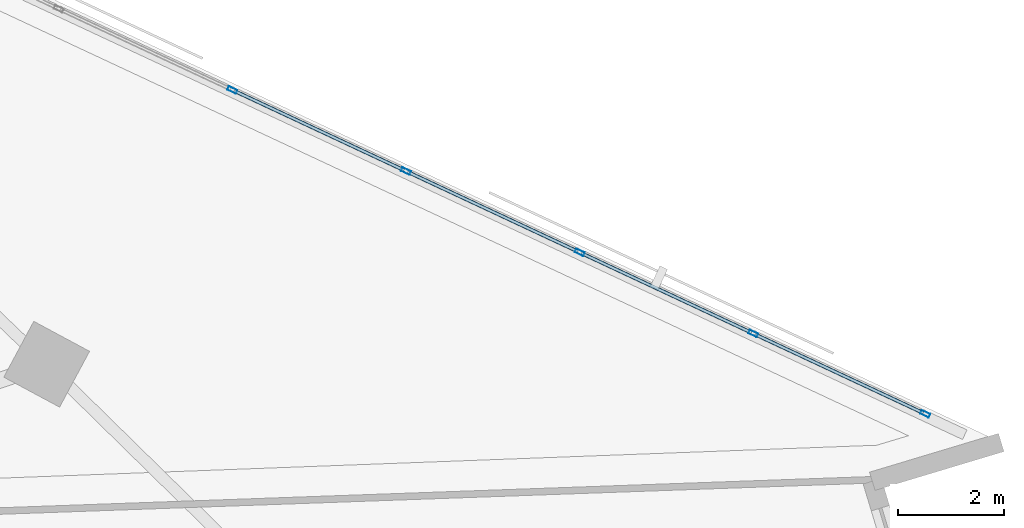
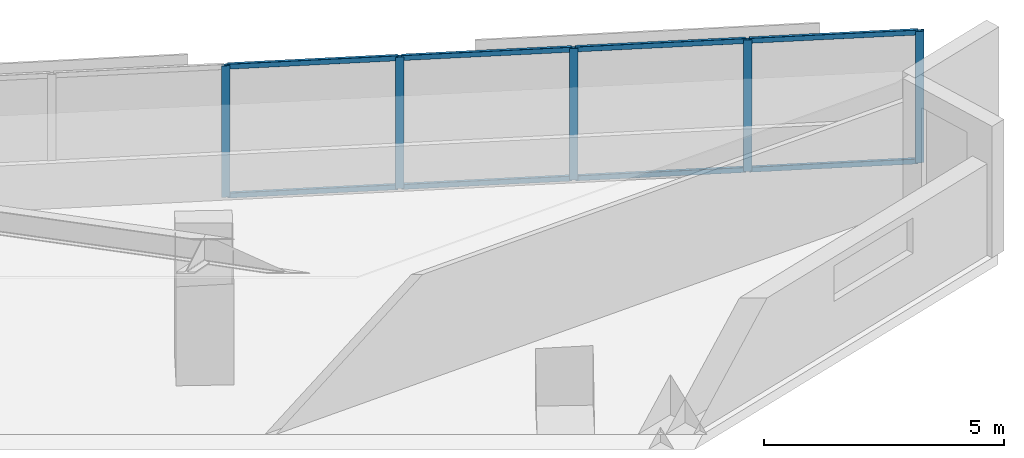
# One storey, part 5 of 15: 13 members, 1 element without a shape of its own.
"""IFC4 building model written with IfcOpenShell, lengths in metres."""

from ifc_helpers import new_model, si_unit, direction, frame, origin, origin_2d, place, context, subcontext, project, spatial, hollow_rectangle, extrude, material, material_profile, profile_set, type_object, element, aggregate, save


model = new_model("IFC4")

# Units and contexts
model_context = context("Model", 3, precision=1e-05, world=origin(), true_north=direction((0.0, 1.0)))
body_context = subcontext(model_context, "Body", "Model", "MODEL_VIEW")
ifc_project = project(units=[si_unit("LENGTHUNIT", "METRE"), si_unit("AREAUNIT", "SQUARE_METRE"), si_unit("VOLUMEUNIT", "CUBIC_METRE"), si_unit("PLANEANGLEUNIT", "RADIAN"), si_unit("MASSUNIT", "GRAM", prefix="KILO")], contexts=[model_context])

# Site, building, storey
site_placement = place(None, origin())
site = spatial("IfcSite", under=ifc_project, at=site_placement, CompositionType="ELEMENT")
building_placement = place(site_placement, origin())
building = spatial("IfcBuilding", under=site, at=building_placement, Name="Narakoshi Arena Tower", CompositionType="ELEMENT")
storey_placement = place(building_placement, frame((0.0, 0.0, 143.10009765625)))
storey = spatial("IfcBuildingStorey", under=building, at=storey_placement, Name="L38", CompositionType="ELEMENT", Elevation=143.10009765625)

# Curtain wall, members
ifc_material = material(Name="Anodised bronze aluminium 6063-T6", Category="aluminium")
curtain_wall_type = type_object("IfcCurtainWallType", Name="CW-HYP-MID", PredefinedType="NOTDEFINED", material=ifc_material)
curtain_wall_placement = place(storey_placement, origin())
curtain_wall = element("IfcCurtainWall", 1, at=curtain_wall_placement, inside=storey, type_object=curtain_wall_type, Name="L38 Folded Hypotenuse Curtain Wall 1-1", PredefinedType="NOTDEFINED")
ifc_material_profile_1 = material_profile(ifc_material, hollow_rectangle(XDim=0.074951171875, YDim=0.179931640625, WallThickness=0.00390625, OuterFilletRadius=0.0048828125, at=origin_2d()), Name="MUL180x75x4")
ifc_profile_set_1 = profile_set([ifc_material_profile_1], Name="Anodised bronze aluminium 6063-T6")
member_type_1 = type_object("IfcMemberType", Name="MEM-MUL-180", PredefinedType="MULLION", material=ifc_profile_set_1)
member_1_placement = place(storey_placement, frame((119.174072265625, 48.238525390625, 0.0), z_axis=(0.0, 0.0, 1.0), x_axis=(-0.423531721612, -0.905881273009, 0.0)))
member_1 = element("IfcMember", 2, at=member_1_placement, type_object=member_type_1, Name="CW-02 mullion 1", PredefinedType="MULLION", context=body_context, shape_type="SweptSolid", body=[
    extrude(hollow_rectangle(XDim=0.074951171875, YDim=0.179931640625, WallThickness=0.00390625, OuterFilletRadius=0.0048828125, at=origin_2d()), origin(), (0.0, 0.0, 1.0), 3.33984375),
])
member_2_placement = place(storey_placement, frame((115.91650390625, 49.761474609375, 0.0), z_axis=(0.0, 0.0, 1.0), x_axis=(-0.423531721612, -0.905881273009, 0.0)))
member_2 = element("IfcMember", 3, at=member_2_placement, type_object=member_type_1, Name="CW-02 mullion 2", PredefinedType="MULLION", context=body_context, shape_type="SweptSolid", body=[
    extrude(hollow_rectangle(XDim=0.074951171875, YDim=0.179931640625, WallThickness=0.00390625, OuterFilletRadius=0.0048828125, at=origin_2d()), origin(), (0.0, 0.0, 1.0), 3.33984375),
])
member_3_placement = place(storey_placement, frame((112.625, 51.300537109375, 0.0), z_axis=(0.0, 0.0, 1.0), x_axis=(-0.423531721612, -0.905881273009, 0.0)))
member_3 = element("IfcMember", 4, at=member_3_placement, type_object=member_type_1, Name="CW-02 mullion 3", PredefinedType="MULLION", context=body_context, shape_type="SweptSolid", body=[
    extrude(hollow_rectangle(XDim=0.074951171875, YDim=0.179931640625, WallThickness=0.00390625, OuterFilletRadius=0.0048828125, at=origin_2d()), origin(), (0.0, 0.0, 1.0), 3.33984375),
])
member_4_placement = place(storey_placement, frame((109.33349609375, 52.83935546875, 0.0), z_axis=(0.0, 0.0, 1.0), x_axis=(-0.423531721612, -0.905881273009, 0.0)))
member_4 = element("IfcMember", 5, at=member_4_placement, type_object=member_type_1, Name="CW-02 mullion 4", PredefinedType="MULLION", context=body_context, shape_type="SweptSolid", body=[
    extrude(hollow_rectangle(XDim=0.074951171875, YDim=0.179931640625, WallThickness=0.00390625, OuterFilletRadius=0.0048828125, at=origin_2d()), origin(), (0.0, 0.0, 1.0), 3.33984375),
])
member_5_placement = place(storey_placement, frame((106.0419921875, 54.378173828125, 0.0), z_axis=(0.0, 0.0, 1.0), x_axis=(-0.423531721612, -0.905881273009, 0.0)))
member_5 = element("IfcMember", 6, at=member_5_placement, type_object=member_type_1, Name="CW-02 mullion 5", PredefinedType="MULLION", context=body_context, shape_type="SweptSolid", body=[
    extrude(hollow_rectangle(XDim=0.074951171875, YDim=0.179931640625, WallThickness=0.00390625, OuterFilletRadius=0.0048828125, at=origin_2d()), origin(), (0.0, 0.0, 1.0), 3.33984375),
])
ifc_material_profile_2 = material_profile(ifc_material, hollow_rectangle(XDim=0.06494140625, YDim=0.1298828125, WallThickness=0.00390625, OuterFilletRadius=0.0048828125, at=origin_2d()), Name="TRN130x65x4")
ifc_profile_set_2 = profile_set([ifc_material_profile_2], Name="Anodised bronze aluminium 6063-T6")
member_type_2 = type_object("IfcMemberType", Name="MEM-TRN-130", PredefinedType="USERDEFINED", material=ifc_profile_set_2)
member_6_placement = place(storey_placement, frame((119.14013671875, 48.25439453125, 0.032470703125), z_axis=(-0.905890644442, 0.423511676713, 0.0), x_axis=(-0.423511676713, -0.905890644442, 0.0)))
member_6 = element("IfcMember", 7, at=member_6_placement, type_object=member_type_2, Name="CW-02 transom 1.1", ObjectType="TRANSOM", PredefinedType="USERDEFINED", context=body_context, shape_type="SweptSolid", body=[
    extrude(hollow_rectangle(XDim=0.06494140625, YDim=0.1298828125, WallThickness=0.00390625, OuterFilletRadius=0.0048828125, at=origin_2d()), origin(), (0.0, 0.0, 1.0), 3.52099609375),
])
member_7_placement = place(storey_placement, frame((119.14013671875, 48.25439453125, 3.307373046875), z_axis=(-0.905890644442, 0.423511676713, 0.0), x_axis=(-0.423511676713, -0.905890644442, 0.0)))
member_7 = element("IfcMember", 8, at=member_7_placement, type_object=member_type_2, Name="CW-02 transom 1.2", ObjectType="TRANSOM", PredefinedType="USERDEFINED", context=body_context, shape_type="SweptSolid", body=[
    extrude(hollow_rectangle(XDim=0.06494140625, YDim=0.1298828125, WallThickness=0.00390625, OuterFilletRadius=0.0048828125, at=origin_2d()), origin(), (0.0, 0.0, 1.0), 3.52099609375),
])
member_8_placement = place(storey_placement, frame((115.882568359375, 49.777587890625, 0.032470703125), z_axis=(-0.905890215319, 0.423512594605, 0.0), x_axis=(-0.423512594605, -0.905890215319, 0.0)))
member_8 = element("IfcMember", 9, at=member_8_placement, type_object=member_type_2, Name="CW-02 transom 2.1", ObjectType="TRANSOM", PredefinedType="USERDEFINED", context=body_context, shape_type="SweptSolid", body=[
    extrude(hollow_rectangle(XDim=0.06494140625, YDim=0.1298828125, WallThickness=0.00390625, OuterFilletRadius=0.0048828125, at=origin_2d()), origin(), (0.0, 0.0, 1.0), 3.55859375),
])
member_9_placement = place(storey_placement, frame((115.882568359375, 49.777587890625, 3.307373046875), z_axis=(-0.905890215319, 0.423512594605, 0.0), x_axis=(-0.423512594605, -0.905890215319, 0.0)))
member_9 = element("IfcMember", 10, at=member_9_placement, type_object=member_type_2, Name="CW-02 transom 2.2", ObjectType="TRANSOM", PredefinedType="USERDEFINED", context=body_context, shape_type="SweptSolid", body=[
    extrude(hollow_rectangle(XDim=0.06494140625, YDim=0.1298828125, WallThickness=0.00390625, OuterFilletRadius=0.0048828125, at=origin_2d()), origin(), (0.0, 0.0, 1.0), 3.55859375),
])
member_10_placement = place(storey_placement, frame((112.591064453125, 51.31640625, 0.032470703125), z_axis=(-0.905890215319, 0.423512594605, 0.0), x_axis=(-0.423512594605, -0.905890215319, 0.0)))
member_10 = element("IfcMember", 11, at=member_10_placement, type_object=member_type_2, Name="CW-02 transom 3.1", ObjectType="TRANSOM", PredefinedType="USERDEFINED", context=body_context, shape_type="SweptSolid", body=[
    extrude(hollow_rectangle(XDim=0.06494140625, YDim=0.1298828125, WallThickness=0.00390625, OuterFilletRadius=0.0048828125, at=origin_2d()), origin(), (0.0, 0.0, 1.0), 3.55859375),
])
member_11_placement = place(storey_placement, frame((112.591064453125, 51.31640625, 3.307373046875), z_axis=(-0.905890215319, 0.423512594605, 0.0), x_axis=(-0.423512594605, -0.905890215319, 0.0)))
member_11 = element("IfcMember", 12, at=member_11_placement, type_object=member_type_2, Name="CW-02 transom 3.2", ObjectType="TRANSOM", PredefinedType="USERDEFINED", context=body_context, shape_type="SweptSolid", body=[
    extrude(hollow_rectangle(XDim=0.06494140625, YDim=0.1298828125, WallThickness=0.00390625, OuterFilletRadius=0.0048828125, at=origin_2d()), origin(), (0.0, 0.0, 1.0), 3.55859375),
])
member_12_placement = place(storey_placement, frame((109.299560546875, 52.855224609375, 0.032470703125), z_axis=(-0.905890215319, 0.423512594605, 0.0), x_axis=(-0.423512594605, -0.905890215319, 0.0)))
member_12 = element("IfcMember", 13, at=member_12_placement, type_object=member_type_2, Name="CW-02 transom 4.1", ObjectType="TRANSOM", PredefinedType="USERDEFINED", context=body_context, shape_type="SweptSolid", body=[
    extrude(hollow_rectangle(XDim=0.06494140625, YDim=0.1298828125, WallThickness=0.00390625, OuterFilletRadius=0.0048828125, at=origin_2d()), origin(), (0.0, 0.0, 1.0), 3.55859375),
])
member_13_placement = place(storey_placement, frame((109.299560546875, 52.855224609375, 3.307373046875), z_axis=(-0.905890215319, 0.423512594605, 0.0), x_axis=(-0.423512594605, -0.905890215319, 0.0)))
member_13 = element("IfcMember", 14, at=member_13_placement, type_object=member_type_2, Name="CW-02 transom 4.2", ObjectType="TRANSOM", PredefinedType="USERDEFINED", context=body_context, shape_type="SweptSolid", body=[
    extrude(hollow_rectangle(XDim=0.06494140625, YDim=0.1298828125, WallThickness=0.00390625, OuterFilletRadius=0.0048828125, at=origin_2d()), origin(), (0.0, 0.0, 1.0), 3.55859375),
])
aggregate(curtain_wall, [member_1, member_2, member_3, member_4, member_5, member_6, member_7, member_8, member_9, member_10, member_11, member_12, member_13])

save(model, "model.ifc")
